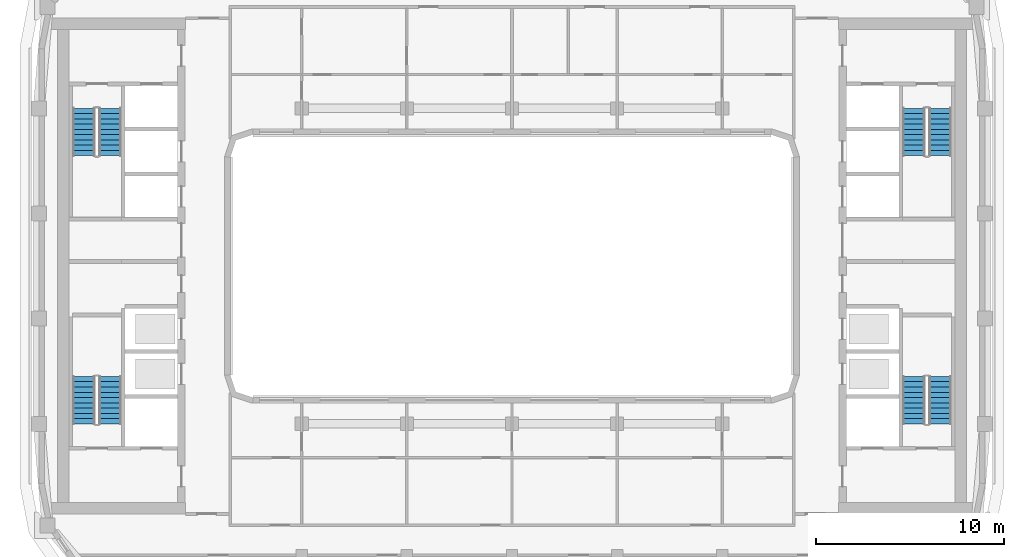
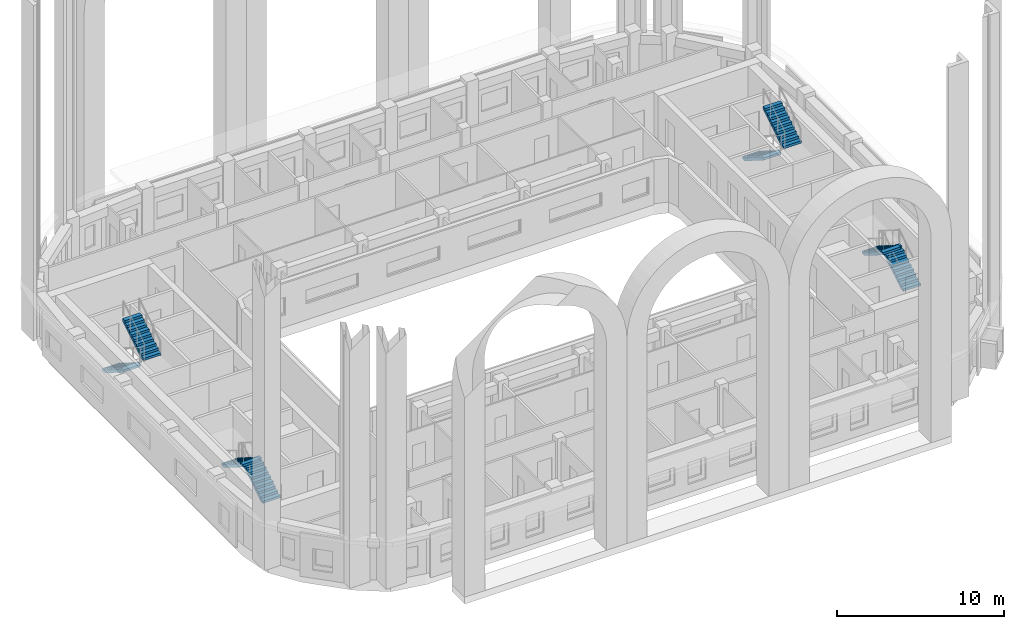
# One storey, part 9 of 19: 8 stair flights, 4 elements without a shape of their own.
"""IFC4 building model written with IfcOpenShell, lengths in metres."""

import ifcopenshell
import ifcopenshell.guid

model = None  # the IFC model being written
_history = None  # IfcOwnerHistory: only IFC2X3 demands one
_inside = {}  # id of a spatial element -> (the spatial element, [elements in it])
_under = {}  # id of a project, library or spatial element -> (it, [spatial elements below it])
_declared = {}  # id of a project -> (the project, [libraries it declares])
_typed = {}  # id of a type object -> (the type object, [elements of that type])
_made_of = {}  # id of a material, layer set ... -> (it, [elements and type objects made of it])


def new_model(schema):
    """Start an empty IFC model of exactly this schema.

    Asked for "IFC4X3", IfcOpenShell would pick the latest addendum, in which some entities
    have other attributes; the version numbers below select the first issue.
    IFC2X3 requires an IfcOwnerHistory on every rooted entity: one is made here for all.
    """
    global model, _history
    if schema == "IFC4X3":
        model = ifcopenshell.file(schema_version=(4, 3, 0, 0))
    else:
        model = ifcopenshell.file(schema=schema)
    _inside.clear()
    _under.clear()
    _declared.clear()
    _typed.clear()
    _made_of.clear()
    _history = None
    if model.schema == "IFC2X3":
        org = make("IfcOrganization", Name="unknown")
        user = make(
            "IfcPersonAndOrganization",
            ThePerson=make("IfcPerson", FamilyName="unknown"),
            TheOrganization=org,
        )
        app = make(
            "IfcApplication",
            ApplicationDeveloper=org,
            Version="unknown",
            ApplicationFullName="unknown",
            ApplicationIdentifier="unknown",
        )
        _history = make(
            "IfcOwnerHistory",
            OwningUser=user,
            OwningApplication=app,
            ChangeAction="ADDED",
            CreationDate=0,
        )
    return model


def make(cls, **values):
    """One entity of the class cls with the attributes given. An attribute that is None is left unset."""
    return model.create_entity(
        cls, **{name: value for name, value in values.items() if value is not None}
    )


def rooted(cls, **values):
    """An entity with a GlobalId (a new one), such as an element, a storey or a relation."""
    return make(cls, GlobalId=ifcopenshell.guid.new(), OwnerHistory=_history, **values)


def si_unit(unit_type, name, prefix=None):
    """IfcSIUnit, for example si_unit("LENGTHUNIT", "METRE", prefix="MILLI")."""
    return make("IfcSIUnit", UnitType=unit_type, Prefix=prefix, Name=name)


def assignment(units):
    """IfcUnitAssignment: the units of a project."""
    return None if units is None else make("IfcUnitAssignment", Units=units)


def point(xyz):
    """IfcCartesianPoint."""
    return None if xyz is None else make("IfcCartesianPoint", Coordinates=xyz)


def direction(xyz):
    """IfcDirection."""
    return None if xyz is None else make("IfcDirection", DirectionRatios=xyz)


def frame(location, z_axis=None, x_axis=None):
    """IfcAxis2Placement3D, a coordinate frame: its origin and axes. An axis left out is left unset."""
    return make(
        "IfcAxis2Placement3D",
        Location=point(location),
        Axis=direction(z_axis),
        RefDirection=direction(x_axis),
    )


def origin():
    """The frame at (0, 0, 0) with its axes left unset."""
    return frame((0.0, 0.0, 0.0))


def place(relative_to, where):
    """IfcLocalPlacement: puts the frame where relative to a parent placement (None: the world)."""
    return make(
        "IfcLocalPlacement", PlacementRelTo=relative_to, RelativePlacement=where
    )


def context(
    kind, dimensions, precision=None, world=None, true_north=None, identifier=None
):
    """IfcGeometricRepresentationContext, for example the 3D "Model" context."""
    return make(
        "IfcGeometricRepresentationContext",
        ContextIdentifier=identifier,
        ContextType=kind,
        CoordinateSpaceDimension=dimensions,
        Precision=precision,
        WorldCoordinateSystem=world,
        TrueNorth=true_north,
    )


def subcontext(parent, identifier, kind, view, scale=None):
    """IfcGeometricRepresentationSubContext, for example "Body" below "Model"."""
    return make(
        "IfcGeometricRepresentationSubContext",
        ContextIdentifier=identifier,
        ContextType=kind,
        ParentContext=parent,
        TargetScale=scale,
        TargetView=view,
    )


def project(units=None, contexts=None):
    """IfcProject with its units and contexts."""
    return rooted(
        "IfcProject",
        Name="project",
        RepresentationContexts=contexts,
        UnitsInContext=assignment(units),
    )


def spatial(cls, under=None, at=None, **own):
    """A site, building, storey or space (cls), placed at a placement, below another one or the project."""
    s = rooted(cls, ObjectPlacement=at, **own)
    if under is not None:
        _under.setdefault(under.id(), (under, []))[1].append(s)
    return s


def polyline(points):
    """IfcPolyline through the points."""
    return make("IfcPolyline", Points=[point(p) for p in points])


def outline(outer, holes=None, kind="AREA"):
    """IfcArbitraryClosedProfileDef: a profile drawn as a closed curve; with holes, ...WithVoids."""
    if holes is None:
        return make("IfcArbitraryClosedProfileDef", ProfileType=kind, OuterCurve=outer)
    return make(
        "IfcArbitraryProfileDefWithVoids",
        ProfileType=kind,
        OuterCurve=outer,
        InnerCurves=holes,
    )


def extrude(swept, where, along, depth):
    """IfcExtrudedAreaSolid: the profile swept, set in the frame where, extruded along a direction by depth."""
    return make(
        "IfcExtrudedAreaSolid",
        SweptArea=swept,
        Position=where,
        ExtrudedDirection=direction(along),
        Depth=depth,
    )


def shape(context_of_items, identifier, shape_type, items):
    """IfcShapeRepresentation: the items that make up one representation, for example the "Body"."""
    return make(
        "IfcShapeRepresentation",
        ContextOfItems=context_of_items,
        RepresentationIdentifier=identifier,
        RepresentationType=shape_type,
        Items=items,
    )


def material(Name=None, Category=None):
    """IfcMaterial."""
    return make("IfcMaterial", Name=Name, Category=Category)


def made_of(thing, what):
    """Note that an element or type object is made of a material, layer set ...; save() writes the relation."""
    if what is not None:
        _made_of.setdefault(what.id(), (what, []))[1].append(thing)
    return thing


def type_object(cls, material=None, **own):
    """A type object (cls), such as IfcWallType, which elements share."""
    return made_of(rooted(cls, **own), material)


def element(
    cls,
    number,
    at=None,
    inside=None,
    cuts=None,
    type_object=None,
    material=None,
    context=None,
    identifier="Body",
    shape_type=None,
    held_by="IfcProductDefinitionShape",
    body=None,
    shapes=None,
    **own,
):
    """One element of the class cls, such as IfcWall. Its Tag is "e" and its number.

    at: its placement. inside: the storey or other place that contains it. cuts: it is an
    opening in that element (IfcRelVoidsElement). A single representation is given by context,
    identifier, shape_type and body (its items); several are given by shapes. held_by: the class
    of the entity that holds the representations. save() writes the other relations.
    """
    e = rooted(cls, Tag="e%d" % number, ObjectPlacement=at, **own)
    if body is not None:
        shapes = [shape(context, identifier, shape_type, body)]
    if shapes is not None:
        e.Representation = make(held_by, Representations=shapes)
    if inside is not None:
        _inside.setdefault(inside.id(), (inside, []))[1].append(e)
    if cuts is not None:
        rooted(
            "IfcRelVoidsElement", RelatingBuildingElement=cuts, RelatedOpeningElement=e
        )
    if type_object is not None:
        _typed.setdefault(type_object.id(), (type_object, []))[1].append(e)
    return made_of(e, material)


def aggregate(whole, parts):
    """IfcRelAggregates: a whole, such as a stair, and the parts it consists of."""
    return rooted("IfcRelAggregates", RelatingObject=whole, RelatedObjects=parts)


def save(model, path):
    """Write the relations noted so far, then the file.

    IfcRelAggregates (storeys below a building ...), IfcRelContainedInSpatialStructure (elements
    in a storey), IfcRelDefinesByType, IfcRelAssociatesMaterial and IfcRelDeclares: one each for
    every whole, place, type object, material and project.
    """
    for whole, parts in _under.values():
        aggregate(whole, parts)
    for where, things in _inside.values():
        rooted(
            "IfcRelContainedInSpatialStructure",
            RelatedElements=things,
            RelatingStructure=where,
        )
    for kind, things in _typed.values():
        rooted("IfcRelDefinesByType", RelatedObjects=things, RelatingType=kind)
    for what, things in _made_of.values():
        rooted("IfcRelAssociatesMaterial", RelatedObjects=things, RelatingMaterial=what)
    for by, libraries in _declared.values():
        rooted("IfcRelDeclares", RelatingContext=by, RelatedDefinitions=libraries)
    model.write(path)


model = new_model("IFC4")

# Units and contexts
model_context = context("Model", 3, precision=1e-05, world=origin(), true_north=direction((0.0, 1.0)))
body_context = subcontext(model_context, "Body", "Model", "MODEL_VIEW")
ifc_project = project(units=[si_unit("LENGTHUNIT", "METRE"), si_unit("AREAUNIT", "SQUARE_METRE"), si_unit("VOLUMEUNIT", "CUBIC_METRE"), si_unit("PLANEANGLEUNIT", "RADIAN"), si_unit("MASSUNIT", "GRAM", prefix="KILO")], contexts=[model_context])

# Site, building, storey
site_placement = place(None, origin())
site = spatial("IfcSite", under=ifc_project, at=site_placement, CompositionType="ELEMENT")
building_placement = place(site_placement, origin())
building = spatial("IfcBuilding", under=site, at=building_placement, Name="Kiln Ring Residences", CompositionType="ELEMENT")
storey_placement = place(building_placement, frame((0.0, 0.0, 241.699951171875)))
storey = spatial("IfcBuildingStorey", under=building, at=storey_placement, Name="L62", CompositionType="ELEMENT", Elevation=241.699951171875)

# Stair, stair flights
ifc_material_1 = material(Name="Concrete C40/50", Category="concrete")
stair_type = type_object("IfcStairType", Name="CORE-STAIR", PredefinedType="HALF_TURN_STAIR", material=ifc_material_1)
placement = place(storey_placement, origin())
stair_1 = element("IfcStair", 1, at=placement, inside=storey, type_object=stair_type, Name="L62 stair W-STN", PredefinedType="HALF_TURN_STAIR")
ifc_material_2 = material(Name="Concrete C40/50", Category="concrete")
stair_flight_type = type_object("IfcStairFlightType", Name="CORE-STAIR-FLIGHT", PredefinedType="STRAIGHT", material=ifc_material_2)
stair_flight_1_placement = place(storey_placement, frame((-22.800048828125, 8.39990234375, 0.0), z_axis=(0.0, 0.0, 1.0), x_axis=(0.0, -1.0, 0.0)))
stair_flight_1 = element("IfcStairFlight", 2, at=stair_flight_1_placement, type_object=stair_flight_type, Name="W-STN flight 1", NumberOfRisers=10, NumberOfTreads=9, PredefinedType="STRAIGHT", RiserHeight=0.175, TreadLength=0.28, context=body_context, shape_type="SweptSolid", body=[
    extrude(outline(polyline([(0.0, 0.0), (0.0, 0.175048828125), (0.280029296875, 0.175048828125), (0.280029296875, 0.35009765625), (0.56005859375, 0.35009765625), (0.56005859375, 0.52490234375), (0.840087890625, 0.52490234375), (0.840087890625, 0.699951171875), (1.1201171875, 0.699951171875), (1.1201171875, 0.875), (1.39990234375, 0.875), (1.39990234375, 1.050048828125), (1.679931640625, 1.050048828125), (1.679931640625, 1.22509765625), (1.9599609375, 1.22509765625), (1.9599609375, 1.39990234375), (2.239990234375, 1.39990234375), (2.239990234375, 1.574951171875), (2.52001953125, 1.574951171875), (2.52001953125, 1.75), (2.52001953125, 1.398193359375), (0.28271484375, 0.0), (0.0, 0.0)])), frame((0.0, 0.60009765625, 0.0), z_axis=(0.0, -1.0, 0.0), x_axis=(1.0, 0.0, 0.0)), (0.0, 0.0, 1.0), 1.199951171875),
])
stair_flight_2_placement = place(storey_placement, frame((-21.39990234375, 5.8798828125, 1.75), z_axis=(0.0, 0.0, 1.0), x_axis=(0.0, 1.0, 0.0)))
stair_flight_2 = element("IfcStairFlight", 3, at=stair_flight_2_placement, type_object=stair_flight_type, Name="W-STN flight 2", NumberOfRisers=10, NumberOfTreads=9, PredefinedType="STRAIGHT", RiserHeight=0.175, TreadLength=0.28, context=body_context, shape_type="SweptSolid", body=[
    extrude(outline(polyline([(0.0, 0.0), (0.0, 0.175048828125), (0.280029296875, 0.175048828125), (0.280029296875, 0.35009765625), (0.56005859375, 0.35009765625), (0.56005859375, 0.52490234375), (0.840087890625, 0.52490234375), (0.840087890625, 0.699951171875), (1.1201171875, 0.699951171875), (1.1201171875, 0.875), (1.39990234375, 0.875), (1.39990234375, 1.050048828125), (1.679931640625, 1.050048828125), (1.679931640625, 1.22509765625), (1.9599609375, 1.22509765625), (1.9599609375, 1.39990234375), (2.239990234375, 1.39990234375), (2.239990234375, 1.574951171875), (2.52001953125, 1.574951171875), (2.52001953125, 1.75), (2.52001953125, 1.398193359375), (0.28271484375, 0.0), (0.0, 0.0)])), frame((0.0, 0.60009765625, 0.0), z_axis=(0.0, -1.0, 0.0), x_axis=(1.0, 0.0, 0.0)), (0.0, 0.0, 1.0), 1.199951171875),
])
aggregate(stair_1, [stair_flight_1, stair_flight_2])

stair_2 = element("IfcStair", 4, at=placement, inside=storey, type_object=stair_type, Name="L62 stair W-STS", PredefinedType="HALF_TURN_STAIR")
stair_flight_3_placement = place(storey_placement, frame((-21.39990234375, -8.39990234375, 0.0), z_axis=(0.0, 0.0, 1.0), x_axis=(0.0, 1.0, 0.0)))
stair_flight_3 = element("IfcStairFlight", 5, at=stair_flight_3_placement, type_object=stair_flight_type, Name="W-STS flight 1", NumberOfRisers=10, NumberOfTreads=9, PredefinedType="STRAIGHT", RiserHeight=0.175, TreadLength=0.28, context=body_context, shape_type="SweptSolid", body=[
    extrude(outline(polyline([(0.0, 0.0), (0.0, 0.175048828125), (0.280029296875, 0.175048828125), (0.280029296875, 0.35009765625), (0.56005859375, 0.35009765625), (0.56005859375, 0.52490234375), (0.840087890625, 0.52490234375), (0.840087890625, 0.699951171875), (1.1201171875, 0.699951171875), (1.1201171875, 0.875), (1.39990234375, 0.875), (1.39990234375, 1.050048828125), (1.679931640625, 1.050048828125), (1.679931640625, 1.22509765625), (1.9599609375, 1.22509765625), (1.9599609375, 1.39990234375), (2.239990234375, 1.39990234375), (2.239990234375, 1.574951171875), (2.52001953125, 1.574951171875), (2.52001953125, 1.75), (2.52001953125, 1.398193359375), (0.28271484375, 0.0), (0.0, 0.0)])), frame((0.0, 0.60009765625, 0.0), z_axis=(0.0, -1.0, 0.0), x_axis=(1.0, 0.0, 0.0)), (0.0, 0.0, 1.0), 1.199951171875),
])
stair_flight_4_placement = place(storey_placement, frame((-22.800048828125, -5.8798828125, 1.75), z_axis=(0.0, 0.0, 1.0), x_axis=(0.0, -1.0, 0.0)))
stair_flight_4 = element("IfcStairFlight", 6, at=stair_flight_4_placement, type_object=stair_flight_type, Name="W-STS flight 2", NumberOfRisers=10, NumberOfTreads=9, PredefinedType="STRAIGHT", RiserHeight=0.175, TreadLength=0.28, context=body_context, shape_type="SweptSolid", body=[
    extrude(outline(polyline([(0.0, 0.0), (0.0, 0.175048828125), (0.280029296875, 0.175048828125), (0.280029296875, 0.35009765625), (0.56005859375, 0.35009765625), (0.56005859375, 0.52490234375), (0.840087890625, 0.52490234375), (0.840087890625, 0.699951171875), (1.1201171875, 0.699951171875), (1.1201171875, 0.875), (1.39990234375, 0.875), (1.39990234375, 1.050048828125), (1.679931640625, 1.050048828125), (1.679931640625, 1.22509765625), (1.9599609375, 1.22509765625), (1.9599609375, 1.39990234375), (2.239990234375, 1.39990234375), (2.239990234375, 1.574951171875), (2.52001953125, 1.574951171875), (2.52001953125, 1.75), (2.52001953125, 1.398193359375), (0.28271484375, 0.0), (0.0, 0.0)])), frame((0.0, 0.60009765625, 0.0), z_axis=(0.0, -1.0, 0.0), x_axis=(1.0, 0.0, 0.0)), (0.0, 0.0, 1.0), 1.199951171875),
])
aggregate(stair_2, [stair_flight_3, stair_flight_4])

stair_3 = element("IfcStair", 7, at=placement, inside=storey, type_object=stair_type, Name="L62 stair E-STN", PredefinedType="HALF_TURN_STAIR")
stair_flight_5_placement = place(storey_placement, frame((21.39990234375, 8.39990234375, 0.0), z_axis=(0.0, 0.0, 1.0), x_axis=(0.0, -1.0, 0.0)))
stair_flight_5 = element("IfcStairFlight", 8, at=stair_flight_5_placement, type_object=stair_flight_type, Name="E-STN flight 1", NumberOfRisers=10, NumberOfTreads=9, PredefinedType="STRAIGHT", RiserHeight=0.175, TreadLength=0.28, context=body_context, shape_type="SweptSolid", body=[
    extrude(outline(polyline([(0.0, 0.0), (0.0, 0.175048828125), (0.280029296875, 0.175048828125), (0.280029296875, 0.35009765625), (0.56005859375, 0.35009765625), (0.56005859375, 0.52490234375), (0.840087890625, 0.52490234375), (0.840087890625, 0.699951171875), (1.1201171875, 0.699951171875), (1.1201171875, 0.875), (1.39990234375, 0.875), (1.39990234375, 1.050048828125), (1.679931640625, 1.050048828125), (1.679931640625, 1.22509765625), (1.9599609375, 1.22509765625), (1.9599609375, 1.39990234375), (2.239990234375, 1.39990234375), (2.239990234375, 1.574951171875), (2.52001953125, 1.574951171875), (2.52001953125, 1.75), (2.52001953125, 1.398193359375), (0.28271484375, 0.0), (0.0, 0.0)])), frame((0.0, 0.60009765625, 0.0), z_axis=(0.0, -1.0, 0.0), x_axis=(1.0, 0.0, 0.0)), (0.0, 0.0, 1.0), 1.199951171875),
])
stair_flight_6_placement = place(storey_placement, frame((22.800048828125, 5.8798828125, 1.75), z_axis=(0.0, 0.0, 1.0), x_axis=(0.0, 1.0, 0.0)))
stair_flight_6 = element("IfcStairFlight", 9, at=stair_flight_6_placement, type_object=stair_flight_type, Name="E-STN flight 2", NumberOfRisers=10, NumberOfTreads=9, PredefinedType="STRAIGHT", RiserHeight=0.175, TreadLength=0.28, context=body_context, shape_type="SweptSolid", body=[
    extrude(outline(polyline([(0.0, 0.0), (0.0, 0.175048828125), (0.280029296875, 0.175048828125), (0.280029296875, 0.35009765625), (0.56005859375, 0.35009765625), (0.56005859375, 0.52490234375), (0.840087890625, 0.52490234375), (0.840087890625, 0.699951171875), (1.1201171875, 0.699951171875), (1.1201171875, 0.875), (1.39990234375, 0.875), (1.39990234375, 1.050048828125), (1.679931640625, 1.050048828125), (1.679931640625, 1.22509765625), (1.9599609375, 1.22509765625), (1.9599609375, 1.39990234375), (2.239990234375, 1.39990234375), (2.239990234375, 1.574951171875), (2.52001953125, 1.574951171875), (2.52001953125, 1.75), (2.52001953125, 1.398193359375), (0.28271484375, 0.0), (0.0, 0.0)])), frame((0.0, 0.60009765625, 0.0), z_axis=(0.0, -1.0, 0.0), x_axis=(1.0, 0.0, 0.0)), (0.0, 0.0, 1.0), 1.199951171875),
])
aggregate(stair_3, [stair_flight_5, stair_flight_6])

stair_4 = element("IfcStair", 10, at=placement, inside=storey, type_object=stair_type, Name="L62 stair E-STS", PredefinedType="HALF_TURN_STAIR")
stair_flight_7_placement = place(storey_placement, frame((22.800048828125, -8.39990234375, 0.0), z_axis=(0.0, 0.0, 1.0), x_axis=(0.0, 1.0, 0.0)))
stair_flight_7 = element("IfcStairFlight", 11, at=stair_flight_7_placement, type_object=stair_flight_type, Name="E-STS flight 1", NumberOfRisers=10, NumberOfTreads=9, PredefinedType="STRAIGHT", RiserHeight=0.175, TreadLength=0.28, context=body_context, shape_type="SweptSolid", body=[
    extrude(outline(polyline([(0.0, 0.0), (0.0, 0.175048828125), (0.280029296875, 0.175048828125), (0.280029296875, 0.35009765625), (0.56005859375, 0.35009765625), (0.56005859375, 0.52490234375), (0.840087890625, 0.52490234375), (0.840087890625, 0.699951171875), (1.1201171875, 0.699951171875), (1.1201171875, 0.875), (1.39990234375, 0.875), (1.39990234375, 1.050048828125), (1.679931640625, 1.050048828125), (1.679931640625, 1.22509765625), (1.9599609375, 1.22509765625), (1.9599609375, 1.39990234375), (2.239990234375, 1.39990234375), (2.239990234375, 1.574951171875), (2.52001953125, 1.574951171875), (2.52001953125, 1.75), (2.52001953125, 1.398193359375), (0.28271484375, 0.0), (0.0, 0.0)])), frame((0.0, 0.60009765625, 0.0), z_axis=(0.0, -1.0, 0.0), x_axis=(1.0, 0.0, 0.0)), (0.0, 0.0, 1.0), 1.199951171875),
])
stair_flight_8_placement = place(storey_placement, frame((21.39990234375, -5.8798828125, 1.75), z_axis=(0.0, 0.0, 1.0), x_axis=(0.0, -1.0, 0.0)))
stair_flight_8 = element("IfcStairFlight", 12, at=stair_flight_8_placement, type_object=stair_flight_type, Name="E-STS flight 2", NumberOfRisers=10, NumberOfTreads=9, PredefinedType="STRAIGHT", RiserHeight=0.175, TreadLength=0.28, context=body_context, shape_type="SweptSolid", body=[
    extrude(outline(polyline([(0.0, 0.0), (0.0, 0.175048828125), (0.280029296875, 0.175048828125), (0.280029296875, 0.35009765625), (0.56005859375, 0.35009765625), (0.56005859375, 0.52490234375), (0.840087890625, 0.52490234375), (0.840087890625, 0.699951171875), (1.1201171875, 0.699951171875), (1.1201171875, 0.875), (1.39990234375, 0.875), (1.39990234375, 1.050048828125), (1.679931640625, 1.050048828125), (1.679931640625, 1.22509765625), (1.9599609375, 1.22509765625), (1.9599609375, 1.39990234375), (2.239990234375, 1.39990234375), (2.239990234375, 1.574951171875), (2.52001953125, 1.574951171875), (2.52001953125, 1.75), (2.52001953125, 1.398193359375), (0.28271484375, 0.0), (0.0, 0.0)])), frame((0.0, 0.60009765625, 0.0), z_axis=(0.0, -1.0, 0.0), x_axis=(1.0, 0.0, 0.0)), (0.0, 0.0, 1.0), 1.199951171875),
])
aggregate(stair_4, [stair_flight_7, stair_flight_8])

save(model, "model.ifc")
